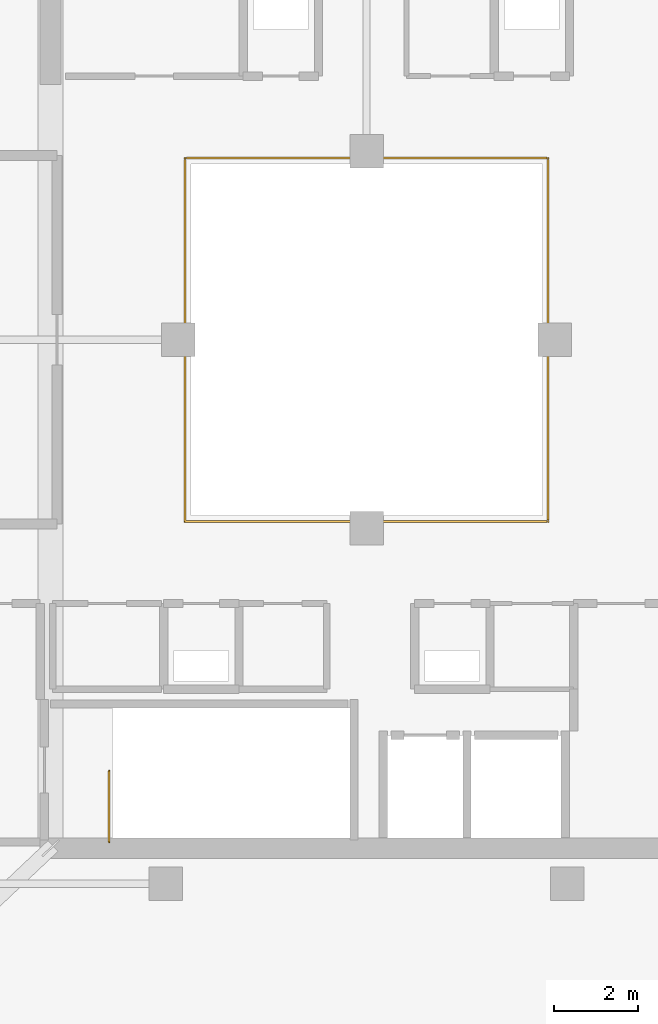
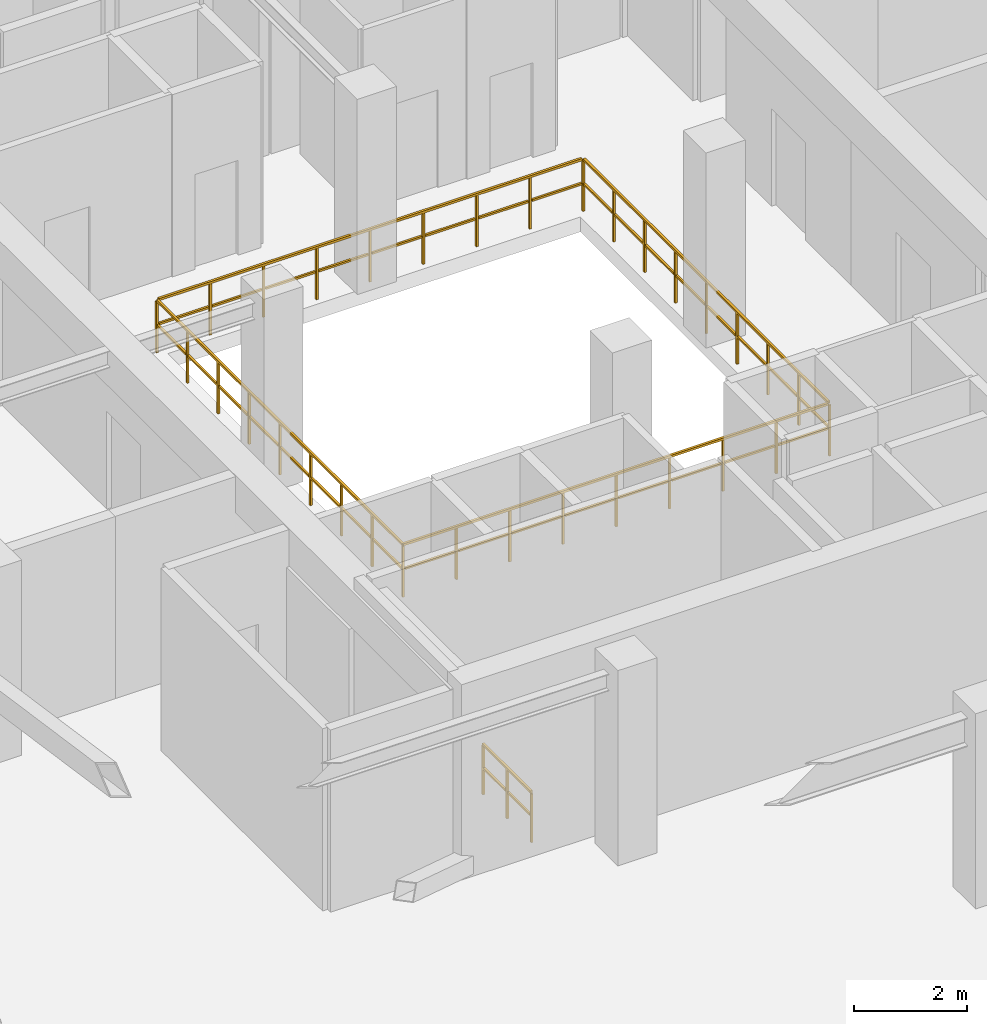
# One storey, part 46 of 47: 2 railings.
"""IFC4 building model written with IfcOpenShell, lengths in metres."""

from ifc_helpers import new_model, si_unit, direction, frame, origin, origin_2d, place, context, subcontext, project, spatial, rectangle, extrude, material, type_object, element, save


model = new_model("IFC4")

# Units and contexts
model_context = context("Model", 3, precision=1e-05, world=origin(), true_north=direction((0.0, 1.0)))
body_context = subcontext(model_context, "Body", "Model", "MODEL_VIEW")
ifc_project = project(units=[si_unit("LENGTHUNIT", "METRE"), si_unit("AREAUNIT", "SQUARE_METRE"), si_unit("VOLUMEUNIT", "CUBIC_METRE"), si_unit("PLANEANGLEUNIT", "RADIAN"), si_unit("MASSUNIT", "GRAM", prefix="KILO")], contexts=[model_context])

# Site, building, storey
site_placement = place(None, origin())
site = spatial("IfcSite", under=ifc_project, at=site_placement, CompositionType="ELEMENT")
building_placement = place(site_placement, origin())
building = spatial("IfcBuilding", under=site, at=building_placement, Name="Thornwick Lancets Civic Towers", CompositionType="ELEMENT")
storey_placement = place(building_placement, frame((0.0, 0.0, 279.89990234375)))
storey = spatial("IfcBuildingStorey", under=building, at=storey_placement, Name="C01", CompositionType="ELEMENT", Elevation=279.89990234375)

# Railings
ifc_material_1 = material(Name="Laminated glass and bronze steel S355", Category="steel")
railing_type_1 = type_object("IfcRailingType", Name="RAIL_ATRIUM_GUARD", PredefinedType="BALUSTRADE", material=ifc_material_1)
railing_1_placement = place(storey_placement, frame((21.159912109375, 22.659912109375, 0.0)))
element("IfcRailing", 1, at=railing_1_placement, inside=storey, type_object=railing_type_1, Name="C01 Tower A Central Atrium Guard Balustrade", PredefinedType="BALUSTRADE", context=body_context, shape_type="SweptSolid", body=[
    extrude(rectangle(XDim=0.048095703125, YDim=0.048095703125, at=origin_2d()), frame((0.0, 0.0, 1.1259765625), z_axis=(1.0, 0.0, 0.0), x_axis=(0.0, 1.0, 0.0)), (0.0, 0.0, 1.0), 8.64892578125),
    extrude(rectangle(XDim=0.0419921875, YDim=0.0419921875, at=origin_2d()), frame((0.03759765625, 0.0, 0.597900390625), z_axis=(1.0, 0.0, 0.0), x_axis=(0.0, 1.0, 0.0)), (0.0, 0.0, 1.0), 1.010009765625),
    extrude(rectangle(XDim=0.0419921875, YDim=0.0419921875, at=origin_2d()), frame((1.12255859375, 0.0, 0.597900390625), z_axis=(1.0, 0.0, 0.0), x_axis=(0.0, 1.0, 0.0)), (0.0, 0.0, 1.0), 1.010009765625),
    extrude(rectangle(XDim=0.0419921875, YDim=0.0419921875, at=origin_2d()), frame((2.20751953125, 0.0, 0.597900390625), z_axis=(1.0, 0.0, 0.0), x_axis=(0.0, 1.0, 0.0)), (0.0, 0.0, 1.0), 1.010009765625),
    extrude(rectangle(XDim=0.0419921875, YDim=0.0419921875, at=origin_2d()), frame((3.29248046875, 0.0, 0.597900390625), z_axis=(1.0, 0.0, 0.0), x_axis=(0.0, 1.0, 0.0)), (0.0, 0.0, 1.0), 1.010009765625),
    extrude(rectangle(XDim=0.0419921875, YDim=0.0419921875, at=origin_2d()), frame((4.377685546875, 0.0, 0.597900390625), z_axis=(1.0, 0.0, 0.0), x_axis=(0.0, 1.0, 0.0)), (0.0, 0.0, 1.0), 1.010009765625),
    extrude(rectangle(XDim=0.0419921875, YDim=0.0419921875, at=origin_2d()), frame((5.462646484375, 0.0, 0.597900390625), z_axis=(1.0, 0.0, 0.0), x_axis=(0.0, 1.0, 0.0)), (0.0, 0.0, 1.0), 1.010009765625),
    extrude(rectangle(XDim=0.0419921875, YDim=0.0419921875, at=origin_2d()), frame((6.547607421875, 0.0, 0.597900390625), z_axis=(1.0, 0.0, 0.0), x_axis=(0.0, 1.0, 0.0)), (0.0, 0.0, 1.0), 1.010009765625),
    extrude(rectangle(XDim=0.0419921875, YDim=0.0419921875, at=origin_2d()), frame((7.632568359375, 0.0, 0.597900390625), z_axis=(1.0, 0.0, 0.0), x_axis=(0.0, 1.0, 0.0)), (0.0, 0.0, 1.0), 1.010009765625),
    extrude(rectangle(XDim=0.048095703125, YDim=0.048095703125, at=origin_2d()), frame((8.68017578125, 0.03125, 1.1259765625), z_axis=(0.0, 1.0, 0.0), x_axis=(-1.0, 0.0, 0.0)), (0.0, 0.0, 1.0), 8.61767578125),
    extrude(rectangle(XDim=0.0419921875, YDim=0.0419921875, at=origin_2d()), frame((8.68017578125, 0.03759765625, 0.597900390625), z_axis=(0.0, 1.0, 0.0), x_axis=(-1.0, 0.0, 0.0)), (0.0, 0.0, 1.0), 1.010009765625),
    extrude(rectangle(XDim=0.0419921875, YDim=0.0419921875, at=origin_2d()), frame((8.68017578125, 1.12255859375, 0.597900390625), z_axis=(0.0, 1.0, 0.0), x_axis=(-1.0, 0.0, 0.0)), (0.0, 0.0, 1.0), 1.010009765625),
    extrude(rectangle(XDim=0.0419921875, YDim=0.0419921875, at=origin_2d()), frame((8.68017578125, 2.20751953125, 0.597900390625), z_axis=(0.0, 1.0, 0.0), x_axis=(-1.0, 0.0, 0.0)), (0.0, 0.0, 1.0), 1.010009765625),
    extrude(rectangle(XDim=0.0419921875, YDim=0.0419921875, at=origin_2d()), frame((8.68017578125, 3.29248046875, 0.597900390625), z_axis=(0.0, 1.0, 0.0), x_axis=(-1.0, 0.0, 0.0)), (0.0, 0.0, 1.0), 1.010009765625),
    extrude(rectangle(XDim=0.0419921875, YDim=0.0419921875, at=origin_2d()), frame((8.68017578125, 4.377685546875, 0.597900390625), z_axis=(0.0, 1.0, 0.0), x_axis=(-1.0, 0.0, 0.0)), (0.0, 0.0, 1.0), 1.010009765625),
    extrude(rectangle(XDim=0.0419921875, YDim=0.0419921875, at=origin_2d()), frame((8.68017578125, 5.462646484375, 0.597900390625), z_axis=(0.0, 1.0, 0.0), x_axis=(-1.0, 0.0, 0.0)), (0.0, 0.0, 1.0), 1.010009765625),
    extrude(rectangle(XDim=0.0419921875, YDim=0.0419921875, at=origin_2d()), frame((8.68017578125, 6.547607421875, 0.597900390625), z_axis=(0.0, 1.0, 0.0), x_axis=(-1.0, 0.0, 0.0)), (0.0, 0.0, 1.0), 1.010009765625),
    extrude(rectangle(XDim=0.0419921875, YDim=0.0419921875, at=origin_2d()), frame((8.68017578125, 7.632568359375, 0.597900390625), z_axis=(0.0, 1.0, 0.0), x_axis=(-1.0, 0.0, 0.0)), (0.0, 0.0, 1.0), 1.010009765625),
    extrude(rectangle(XDim=0.048095703125, YDim=0.048095703125, at=origin_2d()), frame((8.64892578125, 8.68017578125, 1.1259765625), z_axis=(-1.0, 0.0, 0.0), x_axis=(0.0, -1.0, 0.0)), (0.0, 0.0, 1.0), 8.61767578125),
    extrude(rectangle(XDim=0.0419921875, YDim=0.0419921875, at=origin_2d()), frame((8.642578125, 8.68017578125, 0.597900390625), z_axis=(-1.0, 0.0, 0.0), x_axis=(0.0, -1.0, 0.0)), (0.0, 0.0, 1.0), 1.010009765625),
    extrude(rectangle(XDim=0.0419921875, YDim=0.0419921875, at=origin_2d()), frame((7.5576171875, 8.68017578125, 0.597900390625), z_axis=(-1.0, 0.0, 0.0), x_axis=(0.0, -1.0, 0.0)), (0.0, 0.0, 1.0), 1.010009765625),
    extrude(rectangle(XDim=0.0419921875, YDim=0.0419921875, at=origin_2d()), frame((6.47265625, 8.68017578125, 0.597900390625), z_axis=(-1.0, 0.0, 0.0), x_axis=(0.0, -1.0, 0.0)), (0.0, 0.0, 1.0), 1.010009765625),
    extrude(rectangle(XDim=0.0419921875, YDim=0.0419921875, at=origin_2d()), frame((5.3876953125, 8.68017578125, 0.597900390625), z_axis=(-1.0, 0.0, 0.0), x_axis=(0.0, -1.0, 0.0)), (0.0, 0.0, 1.0), 1.010009765625),
    extrude(rectangle(XDim=0.0419921875, YDim=0.0419921875, at=origin_2d()), frame((4.302490234375, 8.68017578125, 0.597900390625), z_axis=(-1.0, 0.0, 0.0), x_axis=(0.0, -1.0, 0.0)), (0.0, 0.0, 1.0), 1.010009765625),
    extrude(rectangle(XDim=0.0419921875, YDim=0.0419921875, at=origin_2d()), frame((3.217529296875, 8.68017578125, 0.597900390625), z_axis=(-1.0, 0.0, 0.0), x_axis=(0.0, -1.0, 0.0)), (0.0, 0.0, 1.0), 1.010009765625),
    extrude(rectangle(XDim=0.0419921875, YDim=0.0419921875, at=origin_2d()), frame((2.132568359375, 8.68017578125, 0.597900390625), z_axis=(-1.0, 0.0, 0.0), x_axis=(0.0, -1.0, 0.0)), (0.0, 0.0, 1.0), 1.010009765625),
    extrude(rectangle(XDim=0.0419921875, YDim=0.0419921875, at=origin_2d()), frame((1.047607421875, 8.68017578125, 0.597900390625), z_axis=(-1.0, 0.0, 0.0), x_axis=(0.0, -1.0, 0.0)), (0.0, 0.0, 1.0), 1.010009765625),
    extrude(rectangle(XDim=0.048095703125, YDim=0.048095703125, at=origin_2d()), frame((0.0, 8.64892578125, 1.1259765625), z_axis=(0.0, -1.0, 0.0), x_axis=(1.0, 0.0, 0.0)), (0.0, 0.0, 1.0), 8.64892578125),
    extrude(rectangle(XDim=0.0419921875, YDim=0.0419921875, at=origin_2d()), frame((0.0, 8.642578125, 0.597900390625), z_axis=(0.0, -1.0, 0.0), x_axis=(1.0, 0.0, 0.0)), (0.0, 0.0, 1.0), 1.010009765625),
    extrude(rectangle(XDim=0.0419921875, YDim=0.0419921875, at=origin_2d()), frame((0.0, 7.5576171875, 0.597900390625), z_axis=(0.0, -1.0, 0.0), x_axis=(1.0, 0.0, 0.0)), (0.0, 0.0, 1.0), 1.010009765625),
    extrude(rectangle(XDim=0.0419921875, YDim=0.0419921875, at=origin_2d()), frame((0.0, 6.47265625, 0.597900390625), z_axis=(0.0, -1.0, 0.0), x_axis=(1.0, 0.0, 0.0)), (0.0, 0.0, 1.0), 1.010009765625),
    extrude(rectangle(XDim=0.0419921875, YDim=0.0419921875, at=origin_2d()), frame((0.0, 5.3876953125, 0.597900390625), z_axis=(0.0, -1.0, 0.0), x_axis=(1.0, 0.0, 0.0)), (0.0, 0.0, 1.0), 1.010009765625),
    extrude(rectangle(XDim=0.0419921875, YDim=0.0419921875, at=origin_2d()), frame((0.0, 4.302490234375, 0.597900390625), z_axis=(0.0, -1.0, 0.0), x_axis=(1.0, 0.0, 0.0)), (0.0, 0.0, 1.0), 1.010009765625),
    extrude(rectangle(XDim=0.0419921875, YDim=0.0419921875, at=origin_2d()), frame((0.0, 3.217529296875, 0.597900390625), z_axis=(0.0, -1.0, 0.0), x_axis=(1.0, 0.0, 0.0)), (0.0, 0.0, 1.0), 1.010009765625),
    extrude(rectangle(XDim=0.0419921875, YDim=0.0419921875, at=origin_2d()), frame((0.0, 2.132568359375, 0.597900390625), z_axis=(0.0, -1.0, 0.0), x_axis=(1.0, 0.0, 0.0)), (0.0, 0.0, 1.0), 1.010009765625),
    extrude(rectangle(XDim=0.0419921875, YDim=0.0419921875, at=origin_2d()), frame((0.0, 1.047607421875, 0.597900390625), z_axis=(0.0, -1.0, 0.0), x_axis=(1.0, 0.0, 0.0)), (0.0, 0.0, 1.0), 1.010009765625),
    extrude(rectangle(XDim=0.0419921875, YDim=0.0419921875, at=origin_2d()), origin(), (0.0, 0.0, 1.0), 1.095703125),
    extrude(rectangle(XDim=0.0419921875, YDim=0.0419921875, at=origin_2d()), frame((1.0849609375, 0.0, 0.0)), (0.0, 0.0, 1.0), 1.095703125),
    extrude(rectangle(XDim=0.0419921875, YDim=0.0419921875, at=origin_2d()), frame((2.169921875, 0.0, 0.0)), (0.0, 0.0, 1.0), 1.095703125),
    extrude(rectangle(XDim=0.0419921875, YDim=0.0419921875, at=origin_2d()), frame((3.255126953125, 0.0, 0.0)), (0.0, 0.0, 1.0), 1.095703125),
    extrude(rectangle(XDim=0.0419921875, YDim=0.0419921875, at=origin_2d()), frame((4.340087890625, 0.0, 0.0)), (0.0, 0.0, 1.0), 1.095703125),
    extrude(rectangle(XDim=0.0419921875, YDim=0.0419921875, at=origin_2d()), frame((5.425048828125, 0.0, 0.0)), (0.0, 0.0, 1.0), 1.095703125),
    extrude(rectangle(XDim=0.0419921875, YDim=0.0419921875, at=origin_2d()), frame((6.51025390625, 0.0, 0.0)), (0.0, 0.0, 1.0), 1.095703125),
    extrude(rectangle(XDim=0.0419921875, YDim=0.0419921875, at=origin_2d()), frame((7.59521484375, 0.0, 0.0)), (0.0, 0.0, 1.0), 1.095703125),
    extrude(rectangle(XDim=0.0419921875, YDim=0.0419921875, at=origin_2d()), frame((8.68017578125, 0.0, 0.0)), (0.0, 0.0, 1.0), 1.095703125),
    extrude(rectangle(XDim=0.0419921875, YDim=0.0419921875, at=origin_2d()), frame((8.68017578125, 1.0849609375, 0.0)), (0.0, 0.0, 1.0), 1.095703125),
    extrude(rectangle(XDim=0.0419921875, YDim=0.0419921875, at=origin_2d()), frame((8.68017578125, 2.169921875, 0.0)), (0.0, 0.0, 1.0), 1.095703125),
    extrude(rectangle(XDim=0.0419921875, YDim=0.0419921875, at=origin_2d()), frame((8.68017578125, 3.255126953125, 0.0)), (0.0, 0.0, 1.0), 1.095703125),
    extrude(rectangle(XDim=0.0419921875, YDim=0.0419921875, at=origin_2d()), frame((8.68017578125, 4.340087890625, 0.0)), (0.0, 0.0, 1.0), 1.095703125),
    extrude(rectangle(XDim=0.0419921875, YDim=0.0419921875, at=origin_2d()), frame((8.68017578125, 5.425048828125, 0.0)), (0.0, 0.0, 1.0), 1.095703125),
    extrude(rectangle(XDim=0.0419921875, YDim=0.0419921875, at=origin_2d()), frame((8.68017578125, 6.51025390625, 0.0)), (0.0, 0.0, 1.0), 1.095703125),
    extrude(rectangle(XDim=0.0419921875, YDim=0.0419921875, at=origin_2d()), frame((8.68017578125, 7.59521484375, 0.0)), (0.0, 0.0, 1.0), 1.095703125),
    extrude(rectangle(XDim=0.0419921875, YDim=0.0419921875, at=origin_2d()), frame((8.68017578125, 8.68017578125, 0.0)), (0.0, 0.0, 1.0), 1.095703125),
    extrude(rectangle(XDim=0.0419921875, YDim=0.0419921875, at=origin_2d()), frame((7.59521484375, 8.68017578125, 0.0)), (0.0, 0.0, 1.0), 1.095703125),
    extrude(rectangle(XDim=0.0419921875, YDim=0.0419921875, at=origin_2d()), frame((6.51025390625, 8.68017578125, 0.0)), (0.0, 0.0, 1.0), 1.095703125),
    extrude(rectangle(XDim=0.0419921875, YDim=0.0419921875, at=origin_2d()), frame((5.425048828125, 8.68017578125, 0.0)), (0.0, 0.0, 1.0), 1.095703125),
    extrude(rectangle(XDim=0.0419921875, YDim=0.0419921875, at=origin_2d()), frame((4.340087890625, 8.68017578125, 0.0)), (0.0, 0.0, 1.0), 1.095703125),
    extrude(rectangle(XDim=0.0419921875, YDim=0.0419921875, at=origin_2d()), frame((3.255126953125, 8.68017578125, 0.0)), (0.0, 0.0, 1.0), 1.095703125),
    extrude(rectangle(XDim=0.0419921875, YDim=0.0419921875, at=origin_2d()), frame((2.169921875, 8.68017578125, 0.0)), (0.0, 0.0, 1.0), 1.095703125),
    extrude(rectangle(XDim=0.0419921875, YDim=0.0419921875, at=origin_2d()), frame((1.0849609375, 8.68017578125, 0.0)), (0.0, 0.0, 1.0), 1.095703125),
    extrude(rectangle(XDim=0.0419921875, YDim=0.0419921875, at=origin_2d()), frame((0.0, 8.68017578125, 0.0)), (0.0, 0.0, 1.0), 1.095703125),
    extrude(rectangle(XDim=0.0419921875, YDim=0.0419921875, at=origin_2d()), frame((0.0, 7.59521484375, 0.0)), (0.0, 0.0, 1.0), 1.095703125),
    extrude(rectangle(XDim=0.0419921875, YDim=0.0419921875, at=origin_2d()), frame((0.0, 6.51025390625, 0.0)), (0.0, 0.0, 1.0), 1.095703125),
    extrude(rectangle(XDim=0.0419921875, YDim=0.0419921875, at=origin_2d()), frame((0.0, 5.425048828125, 0.0)), (0.0, 0.0, 1.0), 1.095703125),
    extrude(rectangle(XDim=0.0419921875, YDim=0.0419921875, at=origin_2d()), frame((0.0, 4.340087890625, 0.0)), (0.0, 0.0, 1.0), 1.095703125),
    extrude(rectangle(XDim=0.0419921875, YDim=0.0419921875, at=origin_2d()), frame((0.0, 3.255126953125, 0.0)), (0.0, 0.0, 1.0), 1.095703125),
    extrude(rectangle(XDim=0.0419921875, YDim=0.0419921875, at=origin_2d()), frame((0.0, 2.169921875, 0.0)), (0.0, 0.0, 1.0), 1.095703125),
    extrude(rectangle(XDim=0.0419921875, YDim=0.0419921875, at=origin_2d()), frame((0.0, 1.0849609375, 0.0)), (0.0, 0.0, 1.0), 1.095703125),
])
ifc_material_2 = material(Name="Steel S355JR", Category="steel")
railing_type_2 = type_object("IfcRailingType", Name="RAIL_STAIR_GUARD", PredefinedType="GUARDRAIL", material=ifc_material_2)
railing_2_placement = place(storey_placement, frame((19.35009765625, 15.0, 0.0)))
element("IfcRailing", 2, at=railing_2_placement, inside=storey, type_object=railing_type_2, Name="C01 ST-A1 top well guard 1", PredefinedType="GUARDRAIL", context=body_context, shape_type="SweptSolid", body=[
    extrude(rectangle(XDim=0.048095703125, YDim=0.048095703125, at=origin_2d()), frame((0.0, 0.0, 1.076171875), z_axis=(0.0, 1.0, 0.0), x_axis=(-1.0, 0.0, 0.0)), (0.0, 0.0, 1.0), 1.699951171875),
    extrude(rectangle(XDim=0.0419921875, YDim=0.0419921875, at=origin_2d()), frame((0.0, 0.03759765625, 0.572021484375), z_axis=(0.0, 1.0, 0.0), x_axis=(-1.0, 0.0, 0.0)), (0.0, 0.0, 1.0), 0.77490234375),
    extrude(rectangle(XDim=0.0419921875, YDim=0.0419921875, at=origin_2d()), frame((0.0, 0.887451171875, 0.572021484375), z_axis=(0.0, 1.0, 0.0), x_axis=(-1.0, 0.0, 0.0)), (0.0, 0.0, 1.0), 0.77490234375),
    extrude(rectangle(XDim=0.0419921875, YDim=0.0419921875, at=origin_2d()), origin(), (0.0, 0.0, 1.0), 1.0458984375),
    extrude(rectangle(XDim=0.0419921875, YDim=0.0419921875, at=origin_2d()), frame((0.0, 0.85009765625, 0.0)), (0.0, 0.0, 1.0), 1.0458984375),
    extrude(rectangle(XDim=0.0419921875, YDim=0.0419921875, at=origin_2d()), frame((0.0, 1.699951171875, 0.0)), (0.0, 0.0, 1.0), 1.0458984375),
])

save(model, "model.ifc")
